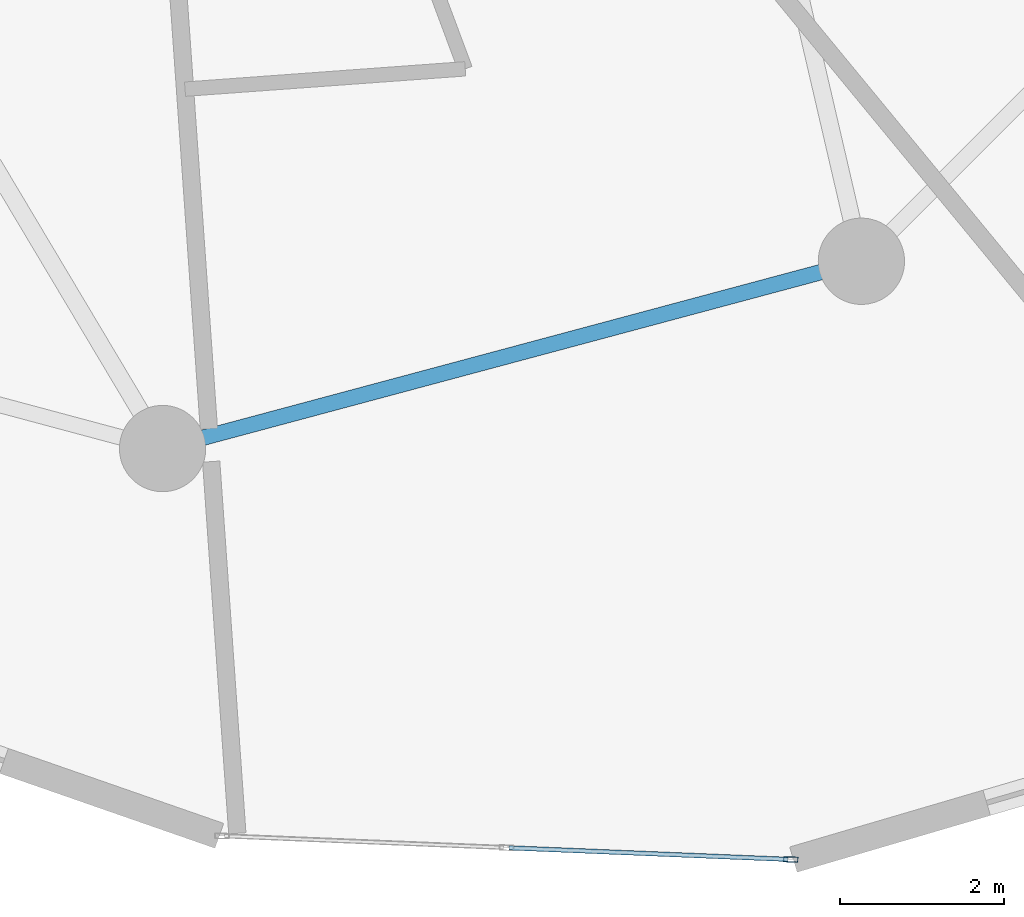
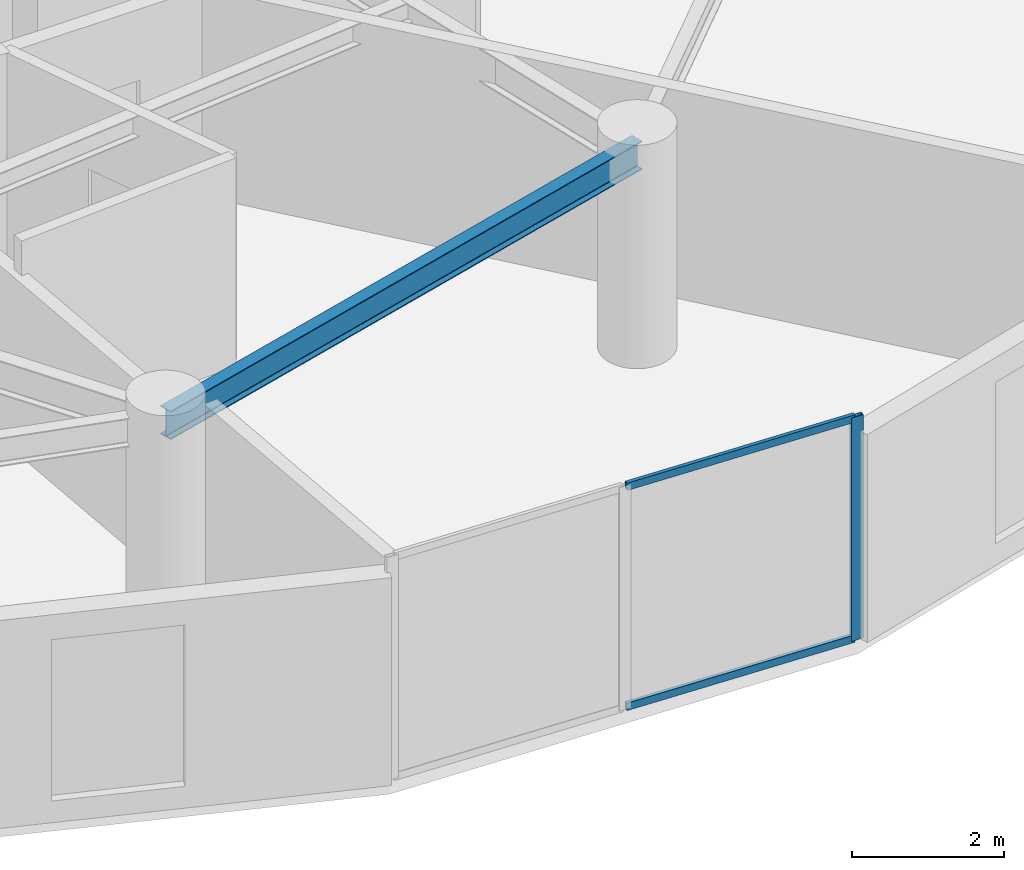
# One storey, part 4 of 23: 3 members, 1 beam, 1 element without a shape of its own.
"""IFC4 building model written with IfcOpenShell, lengths in metres."""

from ifc_helpers import new_model, si_unit, direction, frame, origin, origin_2d, place, context, subcontext, project, spatial, hollow_rectangle, i_section, extrude, source, transform, mapped, material, layer, layer_set, material_profile, profile_set, type_object, element, aggregate, save


model = new_model("IFC4")

# Units and contexts
model_context = context("Model", 3, precision=1e-05, world=origin(), true_north=direction((0.0, 1.0)))
body_context = subcontext(model_context, "Body", "Model", "MODEL_VIEW")
ifc_project = project(units=[si_unit("LENGTHUNIT", "METRE"), si_unit("AREAUNIT", "SQUARE_METRE"), si_unit("VOLUMEUNIT", "CUBIC_METRE"), si_unit("PLANEANGLEUNIT", "RADIAN"), si_unit("MASSUNIT", "GRAM", prefix="KILO")], contexts=[model_context])

# Site, building, storey
site_placement = place(None, origin())
site = spatial("IfcSite", under=ifc_project, at=site_placement, CompositionType="ELEMENT")
building_placement = place(site_placement, origin())
building = spatial("IfcBuilding", under=site, at=building_placement, Name="Solvirekh Grand Hotel", CompositionType="ELEMENT")
storey_placement = place(building_placement, frame((0.0, 0.0, 138.60009765625)))
storey = spatial("IfcBuildingStorey", under=building, at=storey_placement, Name="L35", CompositionType="ELEMENT", Elevation=138.60009765625)

# Beam
ifc_material_1 = material(Name="Steel S355", Category="steel")
ifc_material_profile_1 = material_profile(ifc_material_1, i_section(OverallWidth=0.18994140625, OverallDepth=0.45703125, WebThickness=0.009033203125, FlangeThickness=0.013916015625, FilletRadius=0.012939453125, at=origin_2d()), Name="W460X74")
ifc_profile_set_1 = profile_set([ifc_material_profile_1], Name="Steel S355")
beam_type = type_object("IfcBeamType", Name="Spandrel_Ring_W460", PredefinedType="SPANDREL", material=ifc_profile_set_1)
beam_placement = place(storey_placement, frame((0.0, -17.0, 3.120849609375), z_axis=(0.965911391906, 0.258872908946, 0.0), x_axis=(-0.258872908946, 0.965911391906, 0.0)))
element("IfcBeam", 1, at=beam_placement, inside=storey, type_object=beam_type, Name="L35 perimeter spandrel beam 10", PredefinedType="SPANDREL", context=body_context, shape_type="SweptSolid", body=[
    extrude(i_section(OverallWidth=0.18994140625, OverallDepth=0.45703125, WebThickness=0.009033203125, FlangeThickness=0.013916015625, FilletRadius=0.012939453125, at=origin_2d()), origin(), (0.0, 0.0, 1.0), 8.800048828125),
])

# Curtain wall, members
ifc_material_2 = material(Name="Anodized Bronze Aluminium 6063-T6", Category="aluminium")
ifc_layer = layer(ifc_material_2, 0.175048828125)
ifc_layer_set = layer_set([ifc_layer], Name="Anodized Bronze Aluminium 6063-T6")
curtain_wall_type = type_object("IfcCurtainWallType", Name="CW_Sys3_MidZoneFlushBronzeCW", PredefinedType="NOTDEFINED", material=ifc_layer_set)
curtain_wall_placement = place(storey_placement, origin())
curtain_wall = element("IfcCurtainWall", 2, at=curtain_wall_placement, inside=storey, type_object=curtain_wall_type, Name="L35 unitised bronze-glass curtain wall CW-L35-C18", PredefinedType="NOTDEFINED")
ifc_material_profile_2 = material_profile(ifc_material_2, hollow_rectangle(XDim=0.06494140625, YDim=0.175048828125, WallThickness=0.0048828125, at=origin_2d()), Name="ALU RHS 175X65X5")
ifc_profile_set_2 = profile_set([ifc_material_profile_2], Name="Anodized Bronze Aluminium 6063-T6")
member_type_1 = type_object("IfcMemberType", Name="CWMullion_Sys3", PredefinedType="MULLION", material=ifc_profile_set_2)
shared_shape_1 = source(origin(), body_context, "Body", "SweptSolid", [
    extrude(hollow_rectangle(XDim=0.06494140625, YDim=0.175048828125, WallThickness=0.0048828125, at=origin_2d()), origin(), (0.0, 0.0, 1.0), 3.599853515625),
])
member_1_placement = place(storey_placement, frame((7.640625, -21.99853515625, 0.0), z_axis=(0.0, 0.0, 1.0), x_axis=(0.041350825581, 0.999144688833, 0.0)))
member_1 = element("IfcMember", 3, at=member_1_placement, type_object=member_type_1, Name="U03 mullion 3", PredefinedType="MULLION", context=body_context, shape_type="MappedRepresentation", body=[
    mapped(shared_shape_1, transform((0.0, 0.0, 0.0), x_axis=(1.0, 0.0, 0.0), y_axis=(0.0, 1.0, 0.0), z_axis=(0.0, 0.0, 1.0), scale=1.0)),
])
ifc_material_profile_3 = material_profile(ifc_material_2, hollow_rectangle(XDim=0.054931640625, YDim=0.1201171875, WallThickness=0.00390625, at=origin_2d()), Name="ALU RHS 120X55X4")
ifc_profile_set_3 = profile_set([ifc_material_profile_3], Name="Anodized Bronze Aluminium 6063-T6")
member_type_2 = type_object("IfcMemberType", Name="CWTransom_Sys3", PredefinedType="USERDEFINED", material=ifc_profile_set_3)
shared_shape_2 = source(origin(), body_context, "Body", "SweptSolid", [
    extrude(hollow_rectangle(XDim=0.054931640625, YDim=0.1201171875, WallThickness=0.00390625, at=origin_2d()), origin(), (0.0, 0.0, 1.0), 3.397216796875),
])
member_2_placement = place(storey_placement, frame((4.2138671875, -21.85693359375, 0.02734375), z_axis=(0.999145854328, -0.041322654552, 0.0), x_axis=(0.041322654552, 0.999145854328, 0.0)))
member_2 = element("IfcMember", 4, at=member_2_placement, type_object=member_type_2, Name="U03 transom 2.1", ObjectType="TRANSOM", PredefinedType="USERDEFINED", context=body_context, shape_type="MappedRepresentation", body=[
    mapped(shared_shape_2, transform((0.0, 0.0, 0.0), x_axis=(1.0, 0.0, 0.0), y_axis=(0.0, 1.0, 0.0), z_axis=(0.0, 0.0, 1.0), scale=1.0)),
])
member_3_placement = place(storey_placement, frame((4.2138671875, -21.85693359375, 3.572509765625), z_axis=(0.999145854328, -0.041322654552, 0.0), x_axis=(0.041322654552, 0.999145854328, 0.0)))
member_3 = element("IfcMember", 5, at=member_3_placement, type_object=member_type_2, Name="U03 transom 2.2", ObjectType="TRANSOM", PredefinedType="USERDEFINED", context=body_context, shape_type="MappedRepresentation", body=[
    mapped(shared_shape_2, transform((0.0, 0.0, 0.0), x_axis=(1.0, 0.0, 0.0), y_axis=(0.0, 1.0, 0.0), z_axis=(0.0, 0.0, 1.0), scale=1.0)),
])
aggregate(curtain_wall, [member_1, member_2, member_3])

save(model, "model.ifc")
